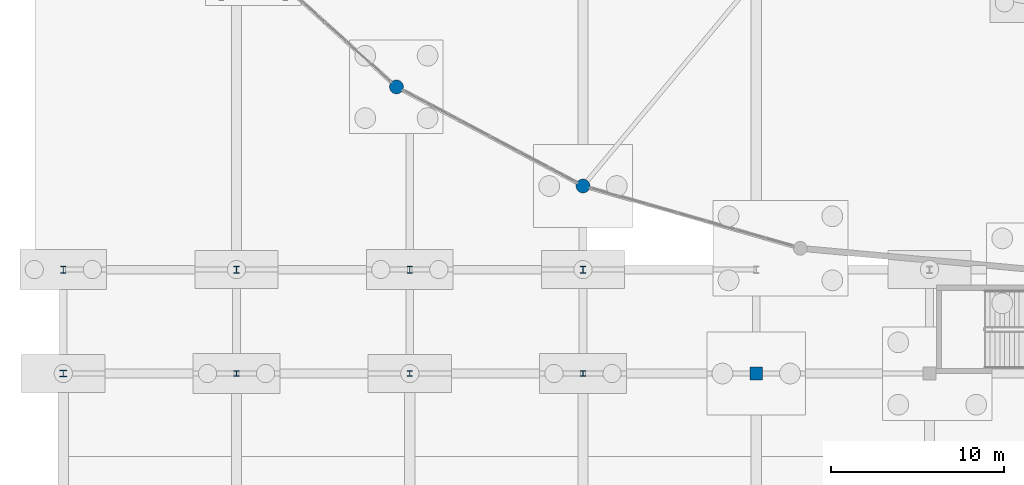
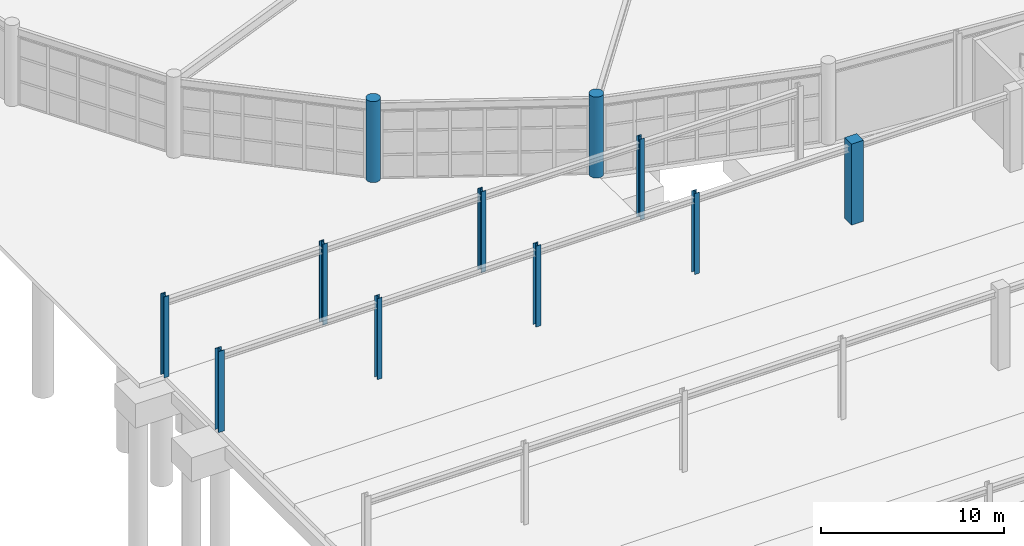
# One storey, part 11 of 99: 11 columns.
"""IFC4 building model written with IfcOpenShell, lengths in metres."""

from ifc_helpers import new_model, si_unit, direction, frame, origin, origin_2d, place, context, subcontext, project, spatial, rectangle, circle, i_section, extrude, material, material_profile, profile_set, type_object, element, save


model = new_model("IFC4")

# Units and contexts
model_context = context("Model", 3, precision=1e-05, world=origin(), true_north=direction((0.0, 1.0)))
body_context = subcontext(model_context, "Body", "Model", "MODEL_VIEW")
ifc_project = project(units=[si_unit("LENGTHUNIT", "METRE"), si_unit("AREAUNIT", "SQUARE_METRE"), si_unit("VOLUMEUNIT", "CUBIC_METRE"), si_unit("PLANEANGLEUNIT", "RADIAN"), si_unit("MASSUNIT", "GRAM", prefix="KILO")], contexts=[model_context])

# Site, building, storey
site_placement = place(None, origin())
site = spatial("IfcSite", under=ifc_project, at=site_placement, CompositionType="ELEMENT")
building_placement = place(site_placement, origin())
building = spatial("IfcBuilding", under=site, at=building_placement, Name="Kivolera Central Railway Station", CompositionType="ELEMENT")
storey_placement = place(building_placement, origin())
storey = spatial("IfcBuildingStorey", under=building, at=storey_placement, Name="L00", CompositionType="ELEMENT", Elevation=0.0)

# Columns
ifc_material_1 = material(Name="Concrete C40/50", Category="concrete")
ifc_material_profile_1 = material_profile(ifc_material_1, rectangle(XDim=0.75, YDim=0.75, at=origin_2d()), Name="RC 750x750")
ifc_profile_set_1 = profile_set([ifc_material_profile_1], Name="Concrete C40/50")
column_type_1 = type_object("IfcColumnType", Name="COL-RC-750", PredefinedType="COLUMN", material=ifc_profile_set_1)
column_1_placement = place(storey_placement, frame((48.0, 48.0, 0.0), z_axis=(0.0, 0.0, 1.0), x_axis=(1.0, 0.0, 0.0)))
element("IfcColumn", 1, at=column_1_placement, inside=storey, type_object=column_type_1, Name="L00 Train Shed Column 5-D", PredefinedType="COLUMN", context=body_context, shape_type="SweptSolid", body=[
    extrude(rectangle(XDim=0.75, YDim=0.75, at=origin_2d()), origin(), (0.0, 0.0, 1.0), 5.39990234375),
])
ifc_material_profile_2 = material_profile(ifc_material_1, circle(Radius=0.39990234375, at=origin_2d()), Name="RC D800")
ifc_profile_set_2 = profile_set([ifc_material_profile_2], Name="Concrete C40/50")
column_type_2 = type_object("IfcColumnType", Name="COL-RC-D800", PredefinedType="COLUMN", material=ifc_profile_set_2)
for number, where, z_axis, x_axis, name in (
    (2, (27.22998046875, 64.5439453125, 0.0), (0.0, 0.0, 1.0), (1.0, 0.0, 0.0), "L00 Oval Drum Perimeter Column P16"),
    (3, (38.0, 58.822998046875, 0.0), (0.0, 0.0, 1.0), (1.0, 0.0, 0.0), "L00 Oval Drum Perimeter Column P17"),
):
    element("IfcColumn", number, at=place(storey_placement, frame(where, z_axis=z_axis, x_axis=x_axis)), inside=storey, type_object=column_type_2, Name=name, PredefinedType="COLUMN", context=body_context, shape_type="SweptSolid", body=[
        extrude(circle(Radius=0.39990234375, at=origin_2d()), origin(), (0.0, 0.0, 1.0), 5.39990234375),
    ])
ifc_material_2 = material(Name="Steel S355", Category="steel")
ifc_material_profile_3 = material_profile(ifc_material_2, i_section(OverallWidth=0.300048828125, OverallDepth=0.39990234375, WebThickness=0.013427734375, FlangeThickness=0.02392578125, FilletRadius=0.027099609375, at=origin_2d()), Name="HEB 400")
ifc_profile_set_3 = profile_set([ifc_material_profile_3], Name="Steel S355")
column_type_3 = type_object("IfcColumnType", Name="COL-STL-HEB400", PredefinedType="COLUMN", material=ifc_profile_set_3)
for number, where, z_axis, x_axis, name in (
    (4, (8.0, 54.0, 0.0), (0.0, 0.0, 1.0), (1.0, 0.0, 0.0), "L00 Train Shed Threshold Column 1-E"),
    (5, (18.0, 54.0, 0.0), (0.0, 0.0, 1.0), (1.0, 0.0, 0.0), "L00 Train Shed Threshold Column 2-E"),
    (6, (28.0, 54.0, 0.0), (0.0, 0.0, 1.0), (1.0, 0.0, 0.0), "L00 Train Shed Threshold Column 3-E"),
    (7, (38.0, 54.0, 0.0), (0.0, 0.0, 1.0), (1.0, 0.0, 0.0), "L00 Train Shed Threshold Column 4-E"),
):
    element("IfcColumn", number, at=place(storey_placement, frame(where, z_axis=z_axis, x_axis=x_axis)), inside=storey, type_object=column_type_3, Name=name, PredefinedType="COLUMN", context=body_context, shape_type="SweptSolid", body=[
        extrude(i_section(OverallWidth=0.300048828125, OverallDepth=0.39990234375, WebThickness=0.013427734375, FlangeThickness=0.02392578125, FilletRadius=0.027099609375, at=origin_2d()), origin(), (0.0, 0.0, 1.0), 5.39990234375),
    ])
ifc_material_profile_4 = material_profile(ifc_material_2, i_section(OverallWidth=0.30908203125, OverallDepth=0.320556640625, WebThickness=0.013916015625, FlangeThickness=0.021728515625, FilletRadius=0.01513671875, at=origin_2d()), Name="UC 305x305x137")
ifc_profile_set_4 = profile_set([ifc_material_profile_4], Name="Steel S355")
column_type_4 = type_object("IfcColumnType", Name="COL-STL-UC305", PredefinedType="COLUMN", material=ifc_profile_set_4)
for number, where, z_axis, x_axis, name in (
    (8, (18.0, 48.0, 0.0), (0.0, 0.0, 1.0), (1.0, 0.0, 0.0), "L00 Train Shed Column 2-D"),
    (9, (28.0, 48.0, 0.0), (0.0, 0.0, 1.0), (1.0, 0.0, 0.0), "L00 Train Shed Column 3-D"),
    (10, (38.0, 48.0, 0.0), (0.0, 0.0, 1.0), (1.0, 0.0, 0.0), "L00 Train Shed Column 4-D"),
):
    element("IfcColumn", number, at=place(storey_placement, frame(where, z_axis=z_axis, x_axis=x_axis)), inside=storey, type_object=column_type_4, Name=name, PredefinedType="COLUMN", context=body_context, shape_type="SweptSolid", body=[
        extrude(i_section(OverallWidth=0.30908203125, OverallDepth=0.320556640625, WebThickness=0.013916015625, FlangeThickness=0.021728515625, FilletRadius=0.01513671875, at=origin_2d()), origin(), (0.0, 0.0, 1.0), 5.39990234375),
    ])
ifc_material_profile_5 = material_profile(ifc_material_2, i_section(OverallWidth=0.394775390625, OverallDepth=0.381103515625, WebThickness=0.018310546875, FlangeThickness=0.0302734375, FilletRadius=0.01513671875, at=origin_2d()), Name="UC 356x406x235")
ifc_profile_set_5 = profile_set([ifc_material_profile_5], Name="Steel S355")
column_type_5 = type_object("IfcColumnType", Name="COL-STL-UC356", PredefinedType="COLUMN", material=ifc_profile_set_5)
column_2_placement = place(storey_placement, frame((8.0, 48.0, 0.0), z_axis=(0.0, 0.0, 1.0), x_axis=(1.0, 0.0, 0.0)))
element("IfcColumn", 11, at=column_2_placement, inside=storey, type_object=column_type_5, Name="L00 Train Shed Column 1-D", PredefinedType="COLUMN", context=body_context, shape_type="SweptSolid", body=[
    extrude(i_section(OverallWidth=0.394775390625, OverallDepth=0.381103515625, WebThickness=0.018310546875, FlangeThickness=0.0302734375, FilletRadius=0.01513671875, at=origin_2d()), origin(), (0.0, 0.0, 1.0), 5.39990234375),
])

save(model, "model.ifc")
